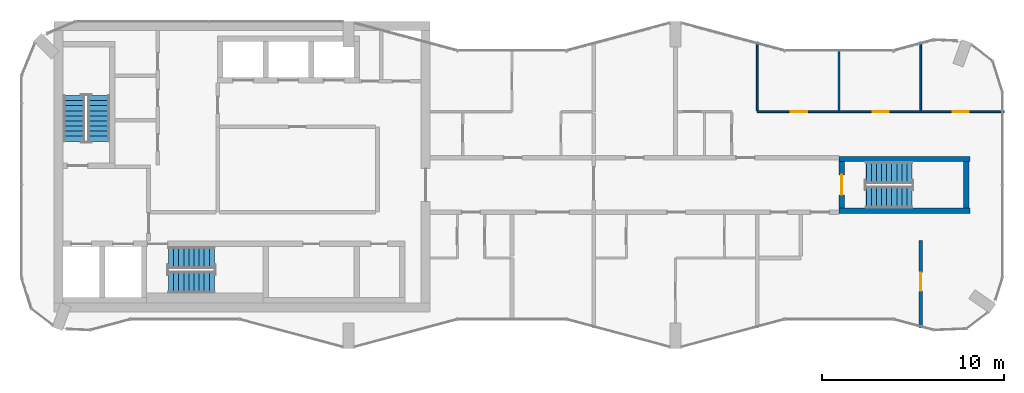
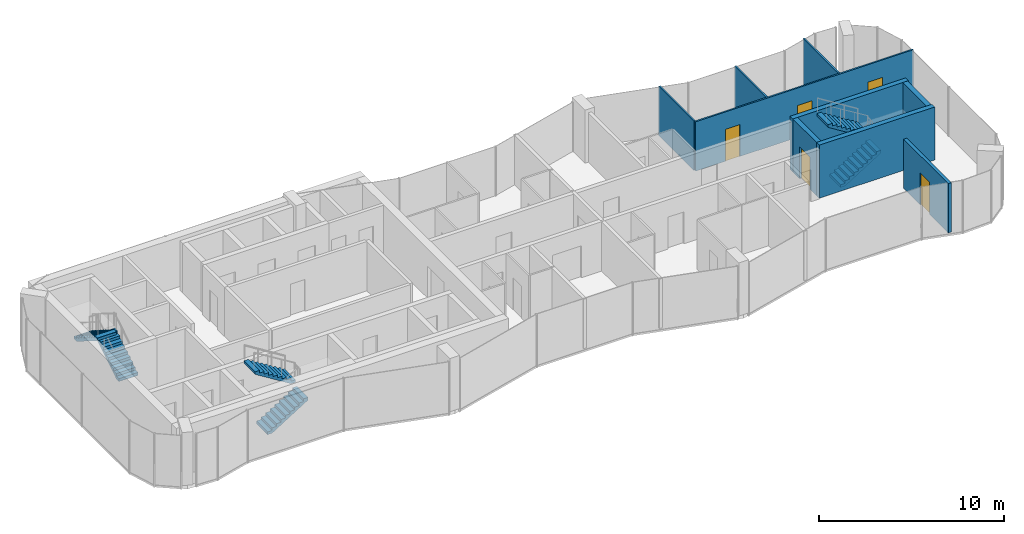
# One storey, part 9 of 10: 9 walls, 6 stair flights, 5 doors, 5 openings, 3 elements without a shape of their own.
"""IFC4 building model written with IfcOpenShell, lengths in metres."""

from ifc_helpers import new_model, si_unit, direction, frame, frame_2d, origin, place, context, subcontext, project, spatial, polyline, rectangle, outline, extrude, material, layer, layer_set, type_object, element, fill, aggregate, save


model = new_model("IFC4")

# Units and contexts
model_context = context("Model", 3, precision=1e-05, world=origin(), true_north=direction((0.0, 1.0)))
body_context = subcontext(model_context, "Body", "Model", "MODEL_VIEW")
ifc_project = project(units=[si_unit("LENGTHUNIT", "METRE"), si_unit("AREAUNIT", "SQUARE_METRE"), si_unit("VOLUMEUNIT", "CUBIC_METRE"), si_unit("PLANEANGLEUNIT", "RADIAN"), si_unit("MASSUNIT", "GRAM", prefix="KILO")], contexts=[model_context])

# Site, building, storey
site_placement = place(None, origin())
site = spatial("IfcSite", under=ifc_project, at=site_placement, CompositionType="ELEMENT")
building_placement = place(site_placement, origin())
building = spatial("IfcBuilding", under=site, at=building_placement, Name="Plateau Cross Towers", CompositionType="ELEMENT")
storey_placement = place(building_placement, frame((0.0, 0.0, 245.89990234375)))
storey = spatial("IfcBuildingStorey", under=building, at=storey_placement, Name="L64", CompositionType="ELEMENT", Elevation=245.89990234375)

# Wall, openings, doors
ifc_material_1 = material(Name="Gypsum board on steel studs", Category="steel")
ifc_layer_1 = layer(ifc_material_1, 0.10009765625)
ifc_layer_set_1 = layer_set([ifc_layer_1], Name="Gypsum board on steel studs")
wall_type_1 = type_object("IfcWallType", Name="Flat partition 100", PredefinedType="PARTITIONING", material=ifc_layer_set_1)
wall_1_placement = place(storey_placement, frame((40.5, 13.02490234375, 0.0), z_axis=(0.0, 0.0, 1.0), x_axis=(1.0, 0.0, 0.0)))
wall_1 = element("IfcWall", 1, at=wall_1_placement, inside=storey, type_object=wall_type_1, Name="Partition wall", PredefinedType="PARTITIONING", context=body_context, shape_type="SweptSolid", body=[
    extrude(rectangle(XDim=13.580078125, YDim=0.10009765625, at=frame_2d((6.7900390625, 0.0))), origin(), (0.0, 0.0, 1.0), 3.25),
])
opening_1_placement = place(wall_1_placement, frame((1.85009765625, 0.0, 0.0)))
opening_1 = element("IfcOpeningElement", 2, at=opening_1_placement, cuts=wall_1, Name="Opening 64-21", PredefinedType="OPENING", context=body_context, shape_type="SweptSolid", body=[
    extrude(rectangle(XDim=0.89990234375, YDim=2.10009765625, at=frame_2d((0.449951171875, 1.050048828125))), frame((0.0, 0.06005859375, 0.0), z_axis=(0.0, -1.0, 0.0), x_axis=(1.0, 0.0, 0.0)), (0.0, 0.0, 1.0), 0.1201171875),
])
opening_2_placement = place(wall_1_placement, frame((6.35009765625, 0.0, 0.0)))
opening_2 = element("IfcOpeningElement", 3, at=opening_2_placement, cuts=wall_1, Name="Opening 64-22", PredefinedType="OPENING", context=body_context, shape_type="SweptSolid", body=[
    extrude(rectangle(XDim=0.89990234375, YDim=2.10009765625, at=frame_2d((0.449951171875, 1.050048828125))), frame((0.0, 0.06005859375, 0.0), z_axis=(0.0, -1.0, 0.0), x_axis=(1.0, 0.0, 0.0)), (0.0, 0.0, 1.0), 0.1201171875),
])
opening_3_placement = place(wall_1_placement, frame((10.75, 0.0, 0.0)))
opening_3 = element("IfcOpeningElement", 4, at=opening_3_placement, cuts=wall_1, Name="Opening 64-23", PredefinedType="OPENING", context=body_context, shape_type="SweptSolid", body=[
    extrude(rectangle(XDim=0.89990234375, YDim=2.10009765625, at=frame_2d((0.449951171875, 1.050048828125))), frame((0.0, 0.06005859375, 0.0), z_axis=(0.0, -1.0, 0.0), x_axis=(1.0, 0.0, 0.0)), (0.0, 0.0, 1.0), 0.1201171875),
])
ifc_material_2 = material(Name="Timber leaf", Category="wood")
door_type_1 = type_object("IfcDoorType", Name="Flat room door 900", OperationType="NOTDEFINED", PredefinedType="DOOR", material=ifc_material_2)
door_1_placement = place(opening_1_placement, origin())
door_1 = element("IfcDoor", 5, at=door_1_placement, inside=storey, type_object=door_type_1, Name="Door 64-21", OperationType="SINGLE_SWING_LEFT", OverallHeight=2.10009765625, OverallWidth=0.89990234375, PredefinedType="DOOR", context=body_context, shape_type="SweptSolid", body=[
    extrude(rectangle(XDim=0.89990234375, YDim=2.10009765625, at=frame_2d((0.449951171875, 1.050048828125))), frame((0.0, 0.02490234375, 0.0), z_axis=(0.0, -1.0, 0.0), x_axis=(1.0, 0.0, 0.0)), (0.0, 0.0, 1.0), 0.050048828125),
])
fill(opening_1, door_1)
door_2_placement = place(opening_2_placement, origin())
door_2 = element("IfcDoor", 6, at=door_2_placement, inside=storey, type_object=door_type_1, Name="Door 64-22", OperationType="SINGLE_SWING_RIGHT", OverallHeight=2.10009765625, OverallWidth=0.89990234375, PredefinedType="DOOR", context=body_context, shape_type="SweptSolid", body=[
    extrude(rectangle(XDim=0.89990234375, YDim=2.10009765625, at=frame_2d((0.449951171875, 1.050048828125))), frame((0.0, 0.02490234375, 0.0), z_axis=(0.0, -1.0, 0.0), x_axis=(1.0, 0.0, 0.0)), (0.0, 0.0, 1.0), 0.050048828125),
])
fill(opening_2, door_2)
door_3_placement = place(opening_3_placement, origin())
door_3 = element("IfcDoor", 7, at=door_3_placement, inside=storey, type_object=door_type_1, Name="Door 64-23", OperationType="SINGLE_SWING_RIGHT", OverallHeight=2.10009765625, OverallWidth=0.89990234375, PredefinedType="DOOR", context=body_context, shape_type="SweptSolid", body=[
    extrude(rectangle(XDim=0.89990234375, YDim=2.10009765625, at=frame_2d((0.449951171875, 1.050048828125))), frame((0.0, 0.02490234375, 0.0), z_axis=(0.0, -1.0, 0.0), x_axis=(1.0, 0.0, 0.0)), (0.0, 0.0, 1.0), 0.050048828125),
])
fill(opening_3, door_3)

# Walls
wall_2_placement = place(storey_placement, frame((40.5, 16.877685546875, 0.0), z_axis=(0.0, 0.0, 1.0), x_axis=(0.0, -1.0, 0.0)))
element("IfcWall", 8, at=wall_2_placement, inside=storey, type_object=wall_type_1, Name="Partition wall", PredefinedType="PARTITIONING", context=body_context, shape_type="SweptSolid", body=[
    extrude(rectangle(XDim=3.802734375, YDim=0.10009765625, at=frame_2d((1.9013671875, 0.0))), origin(), (0.0, 0.0, 1.0), 3.25),
])
wall_3_placement = place(storey_placement, frame((45.0, 13.074951171875, 0.0), z_axis=(0.0, 0.0, 1.0), x_axis=(0.0, 1.0, 0.0)))
element("IfcWall", 9, at=wall_3_placement, inside=storey, type_object=wall_type_1, Name="Partition wall", PredefinedType="PARTITIONING", context=body_context, shape_type="SweptSolid", body=[
    extrude(rectangle(XDim=3.398193359375, YDim=0.10009765625, at=frame_2d((1.69921875, 0.0))), origin(), (0.0, 0.0, 1.0), 3.25),
])
wall_4_placement = place(storey_placement, frame((49.5, 13.074951171875, 0.0), z_axis=(0.0, 0.0, 1.0), x_axis=(0.0, 1.0, 0.0)))
element("IfcWall", 10, at=wall_4_placement, inside=storey, type_object=wall_type_1, Name="Partition wall", PredefinedType="PARTITIONING", context=body_context, shape_type="SweptSolid", body=[
    extrude(rectangle(XDim=3.802734375, YDim=0.10009765625, at=frame_2d((1.9013671875, 0.0))), origin(), (0.0, 0.0, 1.0), 3.25),
])

# Wall, opening, door
ifc_material_3 = material(Name="Gypsum board on steel studs, two layers each side", Category="steel")
ifc_layer_2 = layer(ifc_material_3, 0.199951171875)
ifc_layer_set_2 = layer_set([ifc_layer_2], Name="Gypsum board on steel studs, two layers each side")
wall_type_2 = type_object("IfcWallType", Name="Flat party wall 200", PredefinedType="PARTITIONING", material=ifc_layer_set_2)
wall_5_placement = place(storey_placement, frame((49.5, 1.122314453125, 0.0), z_axis=(0.0, 0.0, 1.0), x_axis=(0.0, 1.0, 0.0)))
wall_5 = element("IfcWall", 11, at=wall_5_placement, inside=storey, type_object=wall_type_2, Name="Party wall", PredefinedType="PARTITIONING", context=body_context, shape_type="SweptSolid", body=[
    extrude(rectangle(XDim=4.82763671875, YDim=0.199951171875, at=frame_2d((2.413818359375, 0.0))), origin(), (0.0, 0.0, 1.0), 3.25),
])
opening_4_placement = place(wall_5_placement, frame((2.050048828125, 0.0, 0.0)))
opening_4 = element("IfcOpeningElement", 12, at=opening_4_placement, cuts=wall_5, Name="Opening 64-10", PredefinedType="OPENING", context=body_context, shape_type="SweptSolid", body=[
    extrude(rectangle(XDim=1.0, YDim=2.10009765625, at=frame_2d((0.5, 1.050048828125))), frame((0.0, 0.10986328125, 0.0), z_axis=(0.0, -1.0, 0.0), x_axis=(1.0, 0.0, 0.0)), (0.0, 0.0, 1.0), 0.219970703125),
])
ifc_material_4 = material(Name="Timber, fire-resisting leaf", Category="wood")
door_type_2 = type_object("IfcDoorType", Name="Flat entrance door 1000", OperationType="NOTDEFINED", PredefinedType="DOOR", material=ifc_material_4)
door_4_placement = place(opening_4_placement, origin())
door_4 = element("IfcDoor", 13, at=door_4_placement, inside=storey, type_object=door_type_2, Name="Door 64-10", OperationType="SINGLE_SWING_RIGHT", OverallHeight=2.10009765625, OverallWidth=1.0, PredefinedType="DOOR", context=body_context, shape_type="SweptSolid", body=[
    extrude(rectangle(XDim=1.0, YDim=2.10009765625, at=frame_2d((0.5, 1.050048828125))), frame((0.0, 0.02490234375, 0.0), z_axis=(0.0, -1.0, 0.0), x_axis=(1.0, 0.0, 0.0)), (0.0, 0.0, 1.0), 0.050048828125),
])
fill(opening_4, door_4)

ifc_material_5 = material(Name="Concrete C60/75", Category="concrete")
ifc_layer_3 = layer(ifc_material_5, 0.300048828125)
ifc_layer_set_3 = layer_set([ifc_layer_3], Name="Concrete C60/75")
wall_type_3 = type_object("IfcWallType", Name="Stair tower wall 300", PredefinedType="SHEAR", material=ifc_layer_set_3)
wall_6_placement = place(storey_placement, frame((45.14990234375, 7.72509765625, 0.0), z_axis=(0.0, 0.0, 1.0), x_axis=(0.0, 1.0, 0.0)))
wall_6 = element("IfcWall", 14, at=wall_6_placement, inside=storey, type_object=wall_type_3, Name="A-end-E-W@L64", PredefinedType="SHEAR", context=body_context, shape_type="SweptSolid", body=[
    extrude(rectangle(XDim=2.5498046875, YDim=0.300048828125, at=frame_2d((1.27490234375, 0.0))), origin(), (0.0, 0.0, 1.0), 3.5),
])
opening_5_placement = place(wall_6_placement, frame((0.72509765625, 0.0, 0.0)))
opening_5 = element("IfcOpeningElement", 15, at=opening_5_placement, cuts=wall_6, Name="Opening SD", PredefinedType="OPENING", context=body_context, shape_type="SweptSolid", body=[
    extrude(rectangle(XDim=1.10009765625, YDim=2.10009765625, at=frame_2d((0.550048828125, 1.050048828125))), frame((0.0, 0.159912109375, 0.0), z_axis=(0.0, -1.0, 0.0), x_axis=(1.0, 0.0, 0.0)), (0.0, 0.0, 1.0), 0.320068359375),
])
ifc_material_6 = material(Name="Steel, fire-resisting leaf", Category="steel")
door_type_3 = type_object("IfcDoorType", Name="Stair door 1100", OperationType="NOTDEFINED", PredefinedType="DOOR", material=ifc_material_6)
door_5_placement = place(opening_5_placement, origin())
door_5 = element("IfcDoor", 16, at=door_5_placement, inside=storey, type_object=door_type_3, Name="Stair door SD", OperationType="SINGLE_SWING_LEFT", OverallHeight=2.10009765625, OverallWidth=1.10009765625, PredefinedType="DOOR", context=body_context, shape_type="SweptSolid", body=[
    extrude(rectangle(XDim=1.10009765625, YDim=2.10009765625, at=frame_2d((0.550048828125, 1.050048828125))), frame((0.0, 0.02490234375, 0.0), z_axis=(0.0, -1.0, 0.0), x_axis=(1.0, 0.0, 0.0)), (0.0, 0.0, 1.0), 0.050048828125),
])
fill(opening_5, door_5)

# Walls
wall_7_placement = place(storey_placement, frame((52.0, 7.72509765625, 0.0), z_axis=(0.0, 0.0, 1.0), x_axis=(0.0, 1.0, 0.0)))
element("IfcWall", 17, at=wall_7_placement, inside=storey, type_object=wall_type_3, Name="A-end-E-E@L64", PredefinedType="SHEAR", context=body_context, shape_type="SweptSolid", body=[
    extrude(rectangle(XDim=2.5498046875, YDim=0.300048828125, at=frame_2d((1.27490234375, 0.0))), origin(), (0.0, 0.0, 1.0), 3.5),
])
for number, where, z_axis, x_axis, name in (
    (18, (45.0, 7.574951171875, 0.0), (0.0, 0.0, 1.0), (1.0, 0.0, 0.0), "A-end-E-S@L64"),
    (19, (45.0, 10.425048828125, 0.0), (0.0, 0.0, 1.0), (1.0, 0.0, 0.0), "A-end-E-N@L64"),
):
    element("IfcWall", number, at=place(storey_placement, frame(where, z_axis=z_axis, x_axis=x_axis)), inside=storey, type_object=wall_type_3, Name=name, PredefinedType="SHEAR", context=body_context, shape_type="SweptSolid", body=[
        extrude(rectangle(XDim=7.199951171875, YDim=0.300048828125, at=frame_2d((3.60009765625, 0.0))), origin(), (0.0, 0.0, 1.0), 3.5),
    ])

# Stair, stair flights
ifc_material_7 = material(Name="Concrete C40/50", Category="concrete")
stair_type = type_object("IfcStairType", Name="ST-TWR", PredefinedType="HALF_TURN_STAIR", material=ifc_material_7)
stair_1_placement = place(storey_placement, origin())
stair_1 = element("IfcStair", 20, at=stair_1_placement, inside=storey, type_object=stair_type, Name="L64 Protected Exit Stair ST-1", PredefinedType="HALF_TURN_STAIR")
stair_flight_type = type_object("IfcStairFlightType", Name="SFL-RC", PredefinedType="STRAIGHT", material=ifc_material_7)
stair_flight_1_placement = place(storey_placement, frame((4.25, 11.39990234375, 0.0), z_axis=(0.0, 0.0, 1.0), x_axis=(0.0, 1.0, 0.0)))
stair_flight_1 = element("IfcStairFlight", 21, at=stair_flight_1_placement, type_object=stair_flight_type, Name="ST-1 flight 1", NumberOfRisers=10, NumberOfTreads=9, PredefinedType="STRAIGHT", RiserHeight=0.175, TreadLength=0.28, context=body_context, shape_type="SweptSolid", body=[
    extrude(outline(polyline([(-0.0048828125, -0.010009765625), (-0.0048828125, 0.0), (0.0, 0.0), (0.0, 0.175048828125), (0.280029296875, 0.175048828125), (0.280029296875, 0.35009765625), (0.56005859375, 0.35009765625), (0.56005859375, 0.52490234375), (0.840087890625, 0.52490234375), (0.840087890625, 0.699951171875), (1.1201171875, 0.699951171875), (1.1201171875, 0.875), (1.39990234375, 0.875), (1.39990234375, 1.050048828125), (1.679931640625, 1.050048828125), (1.679931640625, 1.22509765625), (1.9599609375, 1.22509765625), (1.9599609375, 1.39990234375), (2.239990234375, 1.39990234375), (2.239990234375, 1.574951171875), (2.52001953125, 1.574951171875), (2.52490234375, 1.56494140625), (2.52490234375, 1.398193359375), (2.52001953125, 1.398193359375), (0.28271484375, 0.0), (0.02001953125, 0.0), (0.02001953125, -0.010009765625), (-0.0048828125, -0.010009765625)])), frame((0.0, 0.60009765625, 0.0), z_axis=(0.0, -1.0, 0.0), x_axis=(1.0, 0.0, 0.0)), (0.0, 0.0, 1.0), 1.199951171875),
])
stair_flight_2_placement = place(storey_placement, frame((2.89990234375, 13.919921875, 1.75), z_axis=(0.0, 0.0, 1.0), x_axis=(0.0, -1.0, 0.0)))
stair_flight_2 = element("IfcStairFlight", 22, at=stair_flight_2_placement, type_object=stair_flight_type, Name="ST-1 flight 2", NumberOfRisers=10, NumberOfTreads=9, PredefinedType="STRAIGHT", RiserHeight=0.175, TreadLength=0.28, context=body_context, shape_type="SweptSolid", body=[
    extrude(outline(polyline([(-0.0048828125, -0.010009765625), (-0.0048828125, 0.0), (0.0, 0.0), (0.0, 0.175048828125), (0.280029296875, 0.175048828125), (0.280029296875, 0.35009765625), (0.56005859375, 0.35009765625), (0.56005859375, 0.52490234375), (0.840087890625, 0.52490234375), (0.840087890625, 0.699951171875), (1.1201171875, 0.699951171875), (1.1201171875, 0.875), (1.39990234375, 0.875), (1.39990234375, 1.050048828125), (1.679931640625, 1.050048828125), (1.679931640625, 1.22509765625), (1.9599609375, 1.22509765625), (1.9599609375, 1.39990234375), (2.239990234375, 1.39990234375), (2.239990234375, 1.574951171875), (2.52001953125, 1.574951171875), (2.52490234375, 1.56494140625), (2.52490234375, 1.398193359375), (2.52001953125, 1.398193359375), (0.28271484375, 0.0), (0.02001953125, 0.0), (0.02001953125, -0.010009765625), (-0.0048828125, -0.010009765625)])), frame((0.0, 0.60009765625, 0.0), z_axis=(0.0, -1.0, 0.0), x_axis=(1.0, 0.0, 0.0)), (0.0, 0.0, 1.0), 1.199951171875),
])
aggregate(stair_1, [stair_flight_1, stair_flight_2])

stair_2_placement = place(storey_placement, origin())
stair_2 = element("IfcStair", 23, at=stair_2_placement, inside=storey, type_object=stair_type, Name="L64 Protected Exit Stair ST-2", PredefinedType="HALF_TURN_STAIR")
stair_flight_3_placement = place(storey_placement, frame((8.10009765625, 3.64990234375, 0.0), z_axis=(0.0, 0.0, 1.0), x_axis=(1.0, 0.0, 0.0)))
stair_flight_3 = element("IfcStairFlight", 24, at=stair_flight_3_placement, type_object=stair_flight_type, Name="ST-2 flight 1", NumberOfRisers=10, NumberOfTreads=9, PredefinedType="STRAIGHT", RiserHeight=0.175, TreadLength=0.28, context=body_context, shape_type="SweptSolid", body=[
    extrude(outline(polyline([(-0.0048828125, -0.010009765625), (-0.0048828125, 0.0), (0.0, 0.0), (0.0, 0.175048828125), (0.280029296875, 0.175048828125), (0.280029296875, 0.35009765625), (0.56005859375, 0.35009765625), (0.56005859375, 0.52490234375), (0.840087890625, 0.52490234375), (0.840087890625, 0.699951171875), (1.1201171875, 0.699951171875), (1.1201171875, 0.875), (1.39990234375, 0.875), (1.39990234375, 1.050048828125), (1.679931640625, 1.050048828125), (1.679931640625, 1.22509765625), (1.9599609375, 1.22509765625), (1.9599609375, 1.39990234375), (2.239990234375, 1.39990234375), (2.239990234375, 1.574951171875), (2.52001953125, 1.574951171875), (2.52490234375, 1.56494140625), (2.52490234375, 1.398193359375), (2.52001953125, 1.398193359375), (0.28271484375, 0.0), (0.02001953125, 0.0), (0.02001953125, -0.010009765625), (-0.0048828125, -0.010009765625)])), frame((0.0, 0.60009765625, 0.0), z_axis=(0.0, -1.0, 0.0), x_axis=(1.0, 0.0, 0.0)), (0.0, 0.0, 1.0), 1.199951171875),
])
stair_flight_4_placement = place(storey_placement, frame((10.6201171875, 5.0, 1.75), z_axis=(0.0, 0.0, 1.0), x_axis=(-1.0, 0.0, 0.0)))
stair_flight_4 = element("IfcStairFlight", 25, at=stair_flight_4_placement, type_object=stair_flight_type, Name="ST-2 flight 2", NumberOfRisers=10, NumberOfTreads=9, PredefinedType="STRAIGHT", RiserHeight=0.175, TreadLength=0.28, context=body_context, shape_type="SweptSolid", body=[
    extrude(outline(polyline([(-0.0048828125, -0.010009765625), (-0.0048828125, 0.0), (0.0, 0.0), (0.0, 0.175048828125), (0.280029296875, 0.175048828125), (0.280029296875, 0.35009765625), (0.56005859375, 0.35009765625), (0.56005859375, 0.52490234375), (0.840087890625, 0.52490234375), (0.840087890625, 0.699951171875), (1.1201171875, 0.699951171875), (1.1201171875, 0.875), (1.39990234375, 0.875), (1.39990234375, 1.050048828125), (1.679931640625, 1.050048828125), (1.679931640625, 1.22509765625), (1.9599609375, 1.22509765625), (1.9599609375, 1.39990234375), (2.239990234375, 1.39990234375), (2.239990234375, 1.574951171875), (2.52001953125, 1.574951171875), (2.52490234375, 1.56494140625), (2.52490234375, 1.398193359375), (2.52001953125, 1.398193359375), (0.28271484375, 0.0), (0.02001953125, 0.0), (0.02001953125, -0.010009765625), (-0.0048828125, -0.010009765625)])), frame((0.0, 0.60009765625, 0.0), z_axis=(0.0, -1.0, 0.0), x_axis=(1.0, 0.0, 0.0)), (0.0, 0.0, 1.0), 1.199951171875),
])
aggregate(stair_2, [stair_flight_3, stair_flight_4])

stair_3_placement = place(storey_placement, origin())
stair_3 = element("IfcStair", 26, at=stair_3_placement, inside=storey, type_object=stair_type, Name="L64 Protected Exit Stair E", PredefinedType="HALF_TURN_STAIR")
stair_flight_5_placement = place(storey_placement, frame((46.5, 8.324951171875, 0.0), z_axis=(0.0, 0.0, 1.0), x_axis=(1.0, 0.0, 0.0)))
stair_flight_5 = element("IfcStairFlight", 27, at=stair_flight_5_placement, type_object=stair_flight_type, Name="ES-E flight 1", NumberOfRisers=10, NumberOfTreads=9, PredefinedType="STRAIGHT", RiserHeight=0.175, TreadLength=0.28, context=body_context, shape_type="SweptSolid", body=[
    extrude(outline(polyline([(-0.0048828125, -0.010009765625), (-0.0048828125, 0.0), (0.0, 0.0), (0.0, 0.175048828125), (0.280029296875, 0.175048828125), (0.280029296875, 0.35009765625), (0.56005859375, 0.35009765625), (0.56005859375, 0.52490234375), (0.840087890625, 0.52490234375), (0.840087890625, 0.699951171875), (1.1201171875, 0.699951171875), (1.1201171875, 0.875), (1.39990234375, 0.875), (1.39990234375, 1.050048828125), (1.679931640625, 1.050048828125), (1.679931640625, 1.22509765625), (1.9599609375, 1.22509765625), (1.9599609375, 1.39990234375), (2.239990234375, 1.39990234375), (2.239990234375, 1.574951171875), (2.52001953125, 1.574951171875), (2.52490234375, 1.56494140625), (2.52490234375, 1.398193359375), (2.52001953125, 1.398193359375), (0.28271484375, 0.0), (0.02001953125, 0.0), (0.02001953125, -0.010009765625), (-0.0048828125, -0.010009765625)])), frame((0.0, 0.60009765625, 0.0), z_axis=(0.0, -1.0, 0.0), x_axis=(1.0, 0.0, 0.0)), (0.0, 0.0, 1.0), 1.199951171875),
])
stair_flight_6_placement = place(storey_placement, frame((49.02001953125, 9.675048828125, 1.75), z_axis=(0.0, 0.0, 1.0), x_axis=(-1.0, 0.0, 0.0)))
stair_flight_6 = element("IfcStairFlight", 28, at=stair_flight_6_placement, type_object=stair_flight_type, Name="ES-E flight 2", NumberOfRisers=10, NumberOfTreads=9, PredefinedType="STRAIGHT", RiserHeight=0.175, TreadLength=0.28, context=body_context, shape_type="SweptSolid", body=[
    extrude(outline(polyline([(-0.0048828125, -0.010009765625), (-0.0048828125, 0.0), (0.0, 0.0), (0.0, 0.175048828125), (0.280029296875, 0.175048828125), (0.280029296875, 0.35009765625), (0.56005859375, 0.35009765625), (0.56005859375, 0.52490234375), (0.840087890625, 0.52490234375), (0.840087890625, 0.699951171875), (1.1201171875, 0.699951171875), (1.1201171875, 0.875), (1.39990234375, 0.875), (1.39990234375, 1.050048828125), (1.679931640625, 1.050048828125), (1.679931640625, 1.22509765625), (1.9599609375, 1.22509765625), (1.9599609375, 1.39990234375), (2.239990234375, 1.39990234375), (2.239990234375, 1.574951171875), (2.52001953125, 1.574951171875), (2.52490234375, 1.56494140625), (2.52490234375, 1.398193359375), (2.52001953125, 1.398193359375), (0.28271484375, 0.0), (0.02001953125, 0.0), (0.02001953125, -0.010009765625), (-0.0048828125, -0.010009765625)])), frame((0.0, 0.60009765625, 0.0), z_axis=(0.0, -1.0, 0.0), x_axis=(1.0, 0.0, 0.0)), (0.0, 0.0, 1.0), 1.199951171875),
])
aggregate(stair_3, [stair_flight_5, stair_flight_6])

save(model, "model.ifc")
